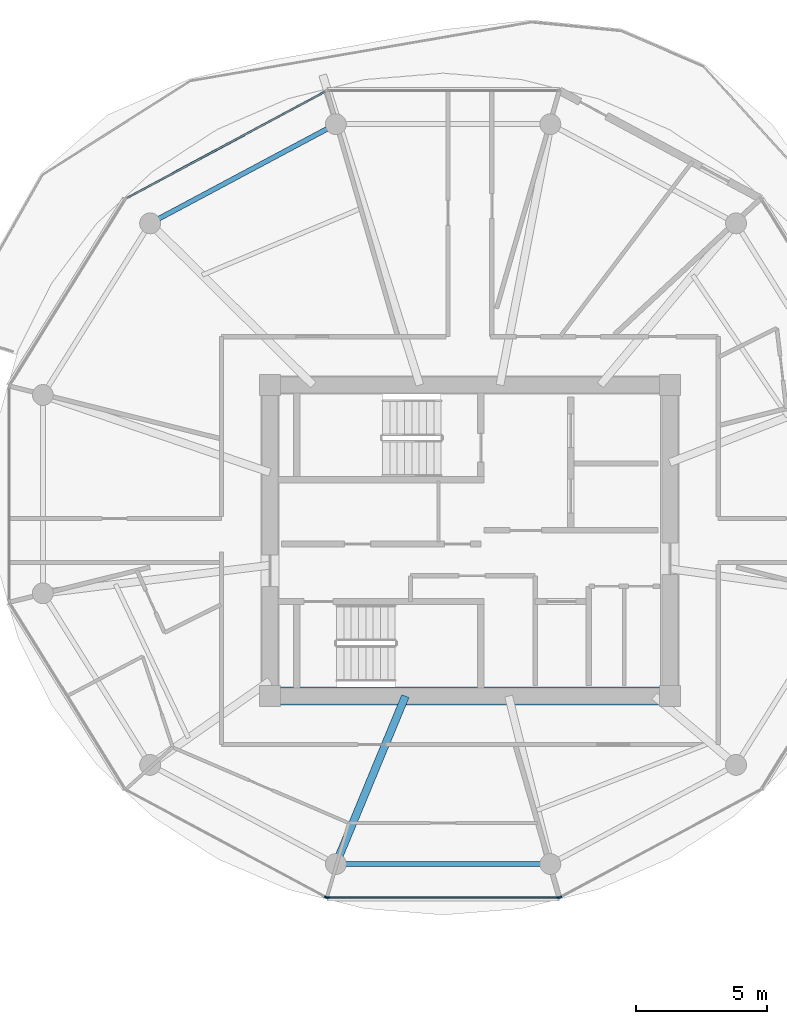
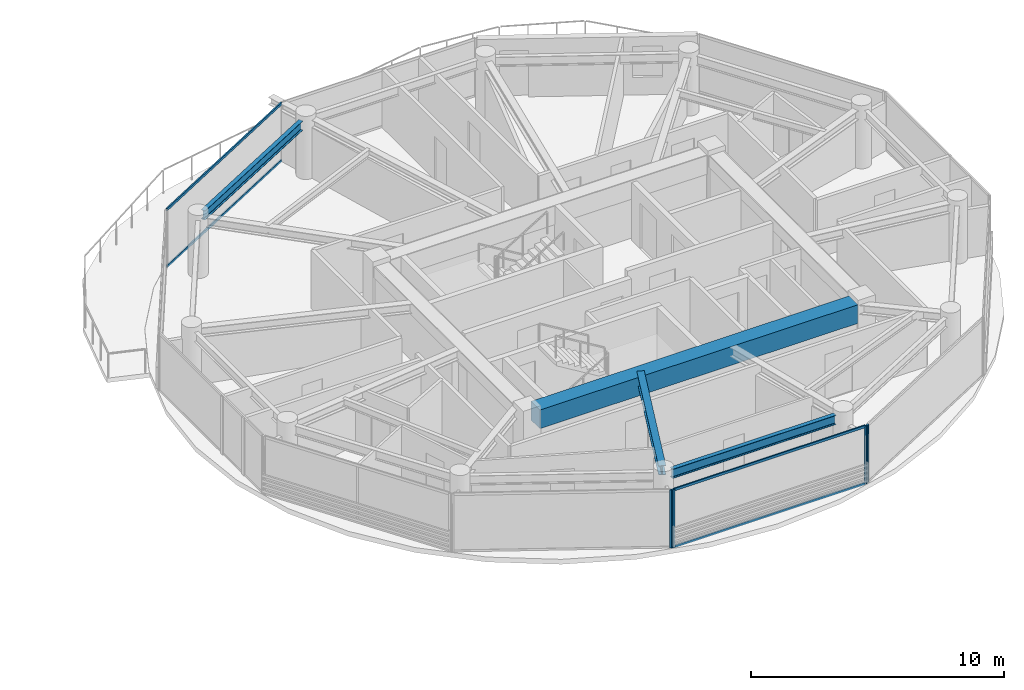
# One storey, part 8 of 22: 8 members, 4 beams, 4 elements without a shape of their own.
"""IFC4 building model written with IfcOpenShell, lengths in metres."""

import ifcopenshell
import ifcopenshell.guid

model = None  # the IFC model being written
_history = None  # IfcOwnerHistory: only IFC2X3 demands one
_inside = {}  # id of a spatial element -> (the spatial element, [elements in it])
_under = {}  # id of a project, library or spatial element -> (it, [spatial elements below it])
_declared = {}  # id of a project -> (the project, [libraries it declares])
_typed = {}  # id of a type object -> (the type object, [elements of that type])
_made_of = {}  # id of a material, layer set ... -> (it, [elements and type objects made of it])


def new_model(schema):
    """Start an empty IFC model of exactly this schema.

    Asked for "IFC4X3", IfcOpenShell would pick the latest addendum, in which some entities
    have other attributes; the version numbers below select the first issue.
    IFC2X3 requires an IfcOwnerHistory on every rooted entity: one is made here for all.
    """
    global model, _history
    if schema == "IFC4X3":
        model = ifcopenshell.file(schema_version=(4, 3, 0, 0))
    else:
        model = ifcopenshell.file(schema=schema)
    _inside.clear()
    _under.clear()
    _declared.clear()
    _typed.clear()
    _made_of.clear()
    _history = None
    if model.schema == "IFC2X3":
        org = make("IfcOrganization", Name="unknown")
        user = make(
            "IfcPersonAndOrganization",
            ThePerson=make("IfcPerson", FamilyName="unknown"),
            TheOrganization=org,
        )
        app = make(
            "IfcApplication",
            ApplicationDeveloper=org,
            Version="unknown",
            ApplicationFullName="unknown",
            ApplicationIdentifier="unknown",
        )
        _history = make(
            "IfcOwnerHistory",
            OwningUser=user,
            OwningApplication=app,
            ChangeAction="ADDED",
            CreationDate=0,
        )
    return model


def make(cls, **values):
    """One entity of the class cls with the attributes given. An attribute that is None is left unset."""
    return model.create_entity(
        cls, **{name: value for name, value in values.items() if value is not None}
    )


def rooted(cls, **values):
    """An entity with a GlobalId (a new one), such as an element, a storey or a relation."""
    return make(cls, GlobalId=ifcopenshell.guid.new(), OwnerHistory=_history, **values)


def si_unit(unit_type, name, prefix=None):
    """IfcSIUnit, for example si_unit("LENGTHUNIT", "METRE", prefix="MILLI")."""
    return make("IfcSIUnit", UnitType=unit_type, Prefix=prefix, Name=name)


def assignment(units):
    """IfcUnitAssignment: the units of a project."""
    return None if units is None else make("IfcUnitAssignment", Units=units)


def point(xyz):
    """IfcCartesianPoint."""
    return None if xyz is None else make("IfcCartesianPoint", Coordinates=xyz)


def direction(xyz):
    """IfcDirection."""
    return None if xyz is None else make("IfcDirection", DirectionRatios=xyz)


def frame(location, z_axis=None, x_axis=None):
    """IfcAxis2Placement3D, a coordinate frame: its origin and axes. An axis left out is left unset."""
    return make(
        "IfcAxis2Placement3D",
        Location=point(location),
        Axis=direction(z_axis),
        RefDirection=direction(x_axis),
    )


def frame_2d(location, x_axis=None):
    """IfcAxis2Placement2D, a coordinate frame in the plane: its origin and x axis."""
    return make(
        "IfcAxis2Placement2D", Location=point(location), RefDirection=direction(x_axis)
    )


def origin():
    """The frame at (0, 0, 0) with its axes left unset."""
    return frame((0.0, 0.0, 0.0))


def origin_2d():
    """The frame at (0, 0) in the plane with its x axis left unset."""
    return frame_2d((0.0, 0.0))


def place(relative_to, where):
    """IfcLocalPlacement: puts the frame where relative to a parent placement (None: the world)."""
    return make(
        "IfcLocalPlacement", PlacementRelTo=relative_to, RelativePlacement=where
    )


def context(
    kind, dimensions, precision=None, world=None, true_north=None, identifier=None
):
    """IfcGeometricRepresentationContext, for example the 3D "Model" context."""
    return make(
        "IfcGeometricRepresentationContext",
        ContextIdentifier=identifier,
        ContextType=kind,
        CoordinateSpaceDimension=dimensions,
        Precision=precision,
        WorldCoordinateSystem=world,
        TrueNorth=true_north,
    )


def subcontext(parent, identifier, kind, view, scale=None):
    """IfcGeometricRepresentationSubContext, for example "Body" below "Model"."""
    return make(
        "IfcGeometricRepresentationSubContext",
        ContextIdentifier=identifier,
        ContextType=kind,
        ParentContext=parent,
        TargetScale=scale,
        TargetView=view,
    )


def project(units=None, contexts=None):
    """IfcProject with its units and contexts."""
    return rooted(
        "IfcProject",
        Name="project",
        RepresentationContexts=contexts,
        UnitsInContext=assignment(units),
    )


def spatial(cls, under=None, at=None, **own):
    """A site, building, storey or space (cls), placed at a placement, below another one or the project."""
    s = rooted(cls, ObjectPlacement=at, **own)
    if under is not None:
        _under.setdefault(under.id(), (under, []))[1].append(s)
    return s


def profile(cls, at=None, kind="AREA", **sizes):
    """A parametric profile (cls). Its sizes go by their IFC names, for example OverallWidth=200.0."""
    return make(cls, ProfileType=kind, Position=at, **sizes)


def rectangle(**sizes):
    """IfcRectangleProfileDef."""
    return profile("IfcRectangleProfileDef", **sizes)


def i_section(**sizes):
    """IfcIShapeProfileDef."""
    return profile("IfcIShapeProfileDef", **sizes)


def extrude(swept, where, along, depth):
    """IfcExtrudedAreaSolid: the profile swept, set in the frame where, extruded along a direction by depth."""
    return make(
        "IfcExtrudedAreaSolid",
        SweptArea=swept,
        Position=where,
        ExtrudedDirection=direction(along),
        Depth=depth,
    )


def shape(context_of_items, identifier, shape_type, items):
    """IfcShapeRepresentation: the items that make up one representation, for example the "Body"."""
    return make(
        "IfcShapeRepresentation",
        ContextOfItems=context_of_items,
        RepresentationIdentifier=identifier,
        RepresentationType=shape_type,
        Items=items,
    )


def source(mapping_origin, context_of_items, identifier, shape_type, items):
    """IfcRepresentationMap: a shape defined once, which mapped items show again and again."""
    return make(
        "IfcRepresentationMap",
        MappingOrigin=mapping_origin,
        MappedRepresentation=shape(context_of_items, identifier, shape_type, items),
    )


def transform(
    local_origin,
    x_axis=None,
    y_axis=None,
    z_axis=None,
    scale=None,
    scale2=None,
    scale3=None,
    uniform=True,
):
    """IfcCartesianTransformationOperator3D, or its non-uniform kind. x_axis, y_axis, z_axis: its Axis1, 2, 3."""
    if uniform:
        return make(
            "IfcCartesianTransformationOperator3D",
            Axis1=direction(x_axis),
            Axis2=direction(y_axis),
            LocalOrigin=point(local_origin),
            Scale=scale,
            Axis3=direction(z_axis),
        )
    return make(
        "IfcCartesianTransformationOperator3DnonUniform",
        Axis1=direction(x_axis),
        Axis2=direction(y_axis),
        LocalOrigin=point(local_origin),
        Scale=scale,
        Axis3=direction(z_axis),
        Scale2=scale2,
        Scale3=scale3,
    )


def mapped(mapping_source, mapping_target):
    """IfcMappedItem: shows the shape of a source again, moved by a transform."""
    return make(
        "IfcMappedItem", MappingSource=mapping_source, MappingTarget=mapping_target
    )


def material(Name=None, Category=None):
    """IfcMaterial."""
    return make("IfcMaterial", Name=Name, Category=Category)


def layer(
    of_material, thickness, ventilated=None, Name=None, Category=None, Priority=None
):
    """IfcMaterialLayer: one layer of a wall or slab, of a material (None: an air gap)."""
    return make(
        "IfcMaterialLayer",
        Material=of_material,
        LayerThickness=thickness,
        IsVentilated=ventilated,
        Name=Name,
        Category=Category,
        Priority=Priority,
    )


def layer_set(layers, Name=None):
    """IfcMaterialLayerSet."""
    return make("IfcMaterialLayerSet", MaterialLayers=layers, LayerSetName=Name)


def material_profile(
    of_material, cross_section, Name=None, Category=None, Priority=None
):
    """IfcMaterialProfile: a cross section and its material."""
    return make(
        "IfcMaterialProfile",
        Name=Name,
        Material=of_material,
        Profile=cross_section,
        Priority=Priority,
        Category=Category,
    )


def profile_set(profiles, Name=None, composite=None):
    """IfcMaterialProfileSet."""
    return make(
        "IfcMaterialProfileSet",
        Name=Name,
        MaterialProfiles=profiles,
        CompositeProfile=composite,
    )


def made_of(thing, what):
    """Note that an element or type object is made of a material, layer set ...; save() writes the relation."""
    if what is not None:
        _made_of.setdefault(what.id(), (what, []))[1].append(thing)
    return thing


def type_object(cls, material=None, **own):
    """A type object (cls), such as IfcWallType, which elements share."""
    return made_of(rooted(cls, **own), material)


def type_shapes(of_type, sources):
    """Give a type object the sources (RepresentationMaps) that its elements show as mapped items."""
    of_type.RepresentationMaps = sources


def element(
    cls,
    number,
    at=None,
    inside=None,
    cuts=None,
    type_object=None,
    material=None,
    context=None,
    identifier="Body",
    shape_type=None,
    held_by="IfcProductDefinitionShape",
    body=None,
    shapes=None,
    **own,
):
    """One element of the class cls, such as IfcWall. Its Tag is "e" and its number.

    at: its placement. inside: the storey or other place that contains it. cuts: it is an
    opening in that element (IfcRelVoidsElement). A single representation is given by context,
    identifier, shape_type and body (its items); several are given by shapes. held_by: the class
    of the entity that holds the representations. save() writes the other relations.
    """
    e = rooted(cls, Tag="e%d" % number, ObjectPlacement=at, **own)
    if body is not None:
        shapes = [shape(context, identifier, shape_type, body)]
    if shapes is not None:
        e.Representation = make(held_by, Representations=shapes)
    if inside is not None:
        _inside.setdefault(inside.id(), (inside, []))[1].append(e)
    if cuts is not None:
        rooted(
            "IfcRelVoidsElement", RelatingBuildingElement=cuts, RelatedOpeningElement=e
        )
    if type_object is not None:
        _typed.setdefault(type_object.id(), (type_object, []))[1].append(e)
    return made_of(e, material)


def aggregate(whole, parts):
    """IfcRelAggregates: a whole, such as a stair, and the parts it consists of."""
    return rooted("IfcRelAggregates", RelatingObject=whole, RelatedObjects=parts)


def save(model, path):
    """Write the relations noted so far, then the file.

    IfcRelAggregates (storeys below a building ...), IfcRelContainedInSpatialStructure (elements
    in a storey), IfcRelDefinesByType, IfcRelAssociatesMaterial and IfcRelDeclares: one each for
    every whole, place, type object, material and project.
    """
    for whole, parts in _under.values():
        aggregate(whole, parts)
    for where, things in _inside.values():
        rooted(
            "IfcRelContainedInSpatialStructure",
            RelatedElements=things,
            RelatingStructure=where,
        )
    for kind, things in _typed.values():
        rooted("IfcRelDefinesByType", RelatedObjects=things, RelatingType=kind)
    for what, things in _made_of.values():
        rooted("IfcRelAssociatesMaterial", RelatedObjects=things, RelatingMaterial=what)
    for by, libraries in _declared.values():
        rooted("IfcRelDeclares", RelatingContext=by, RelatedDefinitions=libraries)
    model.write(path)


model = new_model("IFC4")

# Units and contexts
model_context = context("Model", 3, precision=1e-05, world=origin(), true_north=direction((0.0, 1.0)))
body_context = subcontext(model_context, "Body", "Model", "MODEL_VIEW")
ifc_project = project(units=[si_unit("LENGTHUNIT", "METRE"), si_unit("AREAUNIT", "SQUARE_METRE"), si_unit("VOLUMEUNIT", "CUBIC_METRE"), si_unit("PLANEANGLEUNIT", "RADIAN"), si_unit("MASSUNIT", "GRAM", prefix="KILO")], contexts=[model_context])

# Site, building, storey
site_placement = place(None, origin())
site = spatial("IfcSite", under=ifc_project, at=site_placement, CompositionType="ELEMENT")
building_placement = place(site_placement, origin())
building = spatial("IfcBuilding", under=site, at=building_placement, Name="Norrkilde Senior Care Towers", CompositionType="ELEMENT")
storey_placement = place(building_placement, frame((0.0, 0.0, 180.050048828125)))
storey = spatial("IfcBuildingStorey", under=building, at=storey_placement, Name="L56", CompositionType="ELEMENT", Elevation=180.050048828125)

# Beams
ifc_material_1 = material(Name="Concrete C60/75", Category="concrete")
ifc_material_profile_1 = material_profile(ifc_material_1, rectangle(XDim=0.699951171875, YDim=0.89990234375, at=origin_2d()), Name="RC BM 700x900")
ifc_profile_set_1 = profile_set([ifc_material_profile_1], Name="Concrete C60/75")
beam_type_1 = type_object("IfcBeamType", Name="Core Coupling Girder 700x900", PredefinedType="USERDEFINED", material=ifc_profile_set_1)
shared_shape_1 = source(origin(), body_context, "Body", "SweptSolid", [
    extrude(rectangle(XDim=0.699951171875, YDim=0.89990234375, at=origin_2d()), origin(), (0.0, 0.0, 1.0), 14.5400390625),
])
type_shapes(beam_type_1, [shared_shape_1])
beam_1_placement = place(storey_placement, frame((20.72998046875, -5.949951171875, 2.35986328125), z_axis=(1.0, 0.0, 0.0), x_axis=(0.0, 1.0, 0.0)))
element("IfcBeam", 1, at=beam_1_placement, inside=storey, type_object=beam_type_1, Name="L56 Core E S Coupling Girder", ObjectType="GIRDER", PredefinedType="USERDEFINED", context=body_context, shape_type="MappedRepresentation", body=[
    mapped(shared_shape_1, transform((0.0, 0.0, 0.0), x_axis=(1.0, 0.0, 0.0), y_axis=(0.0, 1.0, 0.0), z_axis=(0.0, 0.0, 1.0), scale=1.0)),
])
ifc_material_2 = material(Name="Steel S355", Category="steel")
ifc_material_profile_2 = material_profile(ifc_material_2, i_section(OverallWidth=0.18994140625, OverallDepth=0.449951171875, WebThickness=0.009521484375, FlangeThickness=0.0146484375, FilletRadius=0.02099609375, at=origin_2d()), Name="IPE 450")
ifc_profile_set_2 = profile_set([ifc_material_profile_2], Name="Steel S355")
beam_type_2 = type_object("IfcBeamType", Name="Perimeter Ring Spandrel Z3 IPE450", PredefinedType="SPANDREL", material=ifc_profile_set_2)
shared_shape_2 = source(origin(), body_context, "Body", "SweptSolid", [
    extrude(i_section(OverallWidth=0.18994140625, OverallDepth=0.449951171875, WebThickness=0.009521484375, FlangeThickness=0.0146484375, FilletRadius=0.02099609375, at=origin_2d()), origin(), (0.0, 0.0, 1.0), 7.333740234375),
])
beam_2_placement = place(storey_placement, frame((22.55517578125, 15.756591796875, 2.5849609375), z_axis=(-0.882247866069, -0.470785198172, 0.0), x_axis=(0.470785198172, -0.882247866069, 0.0)))
element("IfcBeam", 2, at=beam_2_placement, inside=storey, type_object=beam_type_2, Name="L56 Drum E Perimeter Spandrel 04", PredefinedType="SPANDREL", context=body_context, shape_type="MappedRepresentation", body=[
    mapped(shared_shape_2, transform((0.0, 0.0, 0.0), x_axis=(1.0, 0.0, 0.0), y_axis=(0.0, 1.0, 0.0), z_axis=(0.0, 0.0, 1.0), scale=1.0)),
])
shared_shape_3 = source(origin(), body_context, "Body", "SweptSolid", [
    extrude(i_section(OverallWidth=0.18994140625, OverallDepth=0.449951171875, WebThickness=0.009521484375, FlangeThickness=0.0146484375, FilletRadius=0.02099609375, at=origin_2d()), origin(), (0.0, 0.0, 1.0), 7.484619140625),
])
type_shapes(beam_type_2, [shared_shape_2, shared_shape_3])
beam_3_placement = place(storey_placement, frame((23.232666015625, -12.37548828125, 2.5849609375), z_axis=(1.0, 0.0, 0.0), x_axis=(0.0, 1.0, 0.0)))
element("IfcBeam", 3, at=beam_3_placement, inside=storey, type_object=beam_type_2, Name="L56 Drum E Perimeter Spandrel 09", PredefinedType="SPANDREL", context=body_context, shape_type="MappedRepresentation", body=[
    mapped(shared_shape_3, transform((0.0, 0.0, 0.0), x_axis=(1.0, 0.0, 0.0), y_axis=(0.0, 1.0, 0.0), z_axis=(0.0, 0.0, 1.0), scale=1.0)),
])
ifc_material_profile_3 = material_profile(ifc_material_2, i_section(OverallWidth=0.300048828125, OverallDepth=0.449951171875, WebThickness=0.013916015625, FlangeThickness=0.02587890625, FilletRadius=0.027099609375, at=origin_2d()), Name="HEB 450")
ifc_profile_set_3 = profile_set([ifc_material_profile_3], Name="Steel S355")
beam_type_3 = type_object("IfcBeamType", Name="Radial Floor Beam Z3 HEB450", PredefinedType="BEAM", material=ifc_profile_set_3)
shared_shape_4 = source(origin(), body_context, "Body", "SweptSolid", [
    extrude(i_section(OverallWidth=0.300048828125, OverallDepth=0.449951171875, WebThickness=0.013916015625, FlangeThickness=0.02587890625, FilletRadius=0.027099609375, at=origin_2d()), origin(), (0.0, 0.0, 1.0), 6.59521484375),
])
type_shapes(beam_type_3, [shared_shape_4])
beam_4_placement = place(storey_placement, frame((25.534912109375, -5.949951171875, 2.5849609375), z_axis=(-0.382761541363, -0.923847174836, 0.0), x_axis=(0.923847174836, -0.382761541363, 0.0)))
element("IfcBeam", 4, at=beam_4_placement, inside=storey, type_object=beam_type_3, Name="L56 Drum E Radial Floor Beam 09", PredefinedType="BEAM", context=body_context, shape_type="MappedRepresentation", body=[
    mapped(shared_shape_4, transform((0.0, 0.0, 0.0), x_axis=(1.0, 0.0, 0.0), y_axis=(0.0, 1.0, 0.0), z_axis=(0.0, 0.0, 1.0), scale=1.0)),
])

# Curtain wall, member
ifc_material_3 = material(Name="Triple Low-E Insulated Glazing", Category="glass")
ifc_layer = layer(ifc_material_3, 0.18994140625)
ifc_layer_set = layer_set([ifc_layer], Name="Triple Low-E Insulated Glazing")
curtain_wall_type = type_object("IfcCurtainWallType", Name="CW4 Zone 3 Senior Residence Curtain Wall", PredefinedType="NOTDEFINED", material=ifc_layer_set)
curtain_wall_1_placement = place(storey_placement, origin())
curtain_wall_1 = element("IfcCurtainWall", 5, at=curtain_wall_1_placement, inside=storey, type_object=curtain_wall_type, Name="L56 Drum E Curtain Wall 07", PredefinedType="NOTDEFINED")
ifc_material_4 = material(Name="Anodised Aluminium", Category="aluminium")
ifc_material_profile_4 = material_profile(ifc_material_4, rectangle(XDim=0.06494140625, YDim=0.14990234375, at=origin_2d()), Name="ALU MULL 65x150")
ifc_profile_set_4 = profile_set([ifc_material_profile_4], Name="Anodised Aluminium")
member_type_1 = type_object("IfcMemberType", Name="Curtain Wall Mullion Z3-Z4 65x150", PredefinedType="MULLION", material=ifc_profile_set_4)
shared_shape_5 = source(origin(), body_context, "Body", "SweptSolid", [
    extrude(rectangle(XDim=0.06494140625, YDim=0.14990234375, at=origin_2d()), origin(), (0.0, 0.0, 1.0), 2.81005859375),
])
type_shapes(member_type_1, [shared_shape_5])
member_1_placement = place(storey_placement, frame((22.499755859375, -13.644775390625, 0.0), z_axis=(0.0, 0.0, 1.0), x_axis=(-0.47311715104, -0.880999524059, 0.0)))
member_1 = element("IfcMember", 6, at=member_1_placement, type_object=member_type_1, Name="CW-4 mullion 1", PredefinedType="MULLION", context=body_context, shape_type="MappedRepresentation", body=[
    mapped(shared_shape_5, transform((0.0, 0.0, 0.0), x_axis=(1.0, 0.0, 0.0), y_axis=(0.0, 1.0, 0.0), z_axis=(0.0, 0.0, 1.0), scale=1.0)),
])
aggregate(curtain_wall_1, [member_1])

# Curtain wall, members
curtain_wall_2_placement = place(storey_placement, origin())
curtain_wall_2 = element("IfcCurtainWall", 7, at=curtain_wall_2_placement, inside=storey, type_object=curtain_wall_type, Name="L56 Drum E Curtain Wall 08", PredefinedType="NOTDEFINED")
member_2_placement = place(storey_placement, frame((31.388916015625, -13.66015625, 0.0), z_axis=(0.0, 0.0, 1.0), x_axis=(0.0, -1.0, 0.0)))
member_2 = element("IfcMember", 8, at=member_2_placement, type_object=member_type_1, Name="CW-4 mullion 1", PredefinedType="MULLION", context=body_context, shape_type="MappedRepresentation", body=[
    mapped(shared_shape_5, transform((0.0, 0.0, 0.0), x_axis=(1.0, 0.0, 0.0), y_axis=(0.0, 1.0, 0.0), z_axis=(0.0, 0.0, 1.0), scale=1.0)),
])
member_3_placement = place(storey_placement, frame((22.56103515625, -13.66015625, 0.0), z_axis=(0.0, 0.0, 1.0), x_axis=(0.0, -1.0, 0.0)))
member_3 = element("IfcMember", 9, at=member_3_placement, type_object=member_type_1, Name="CW-4 mullion 2", PredefinedType="MULLION", context=body_context, shape_type="MappedRepresentation", body=[
    mapped(shared_shape_5, transform((0.0, 0.0, 0.0), x_axis=(1.0, 0.0, 0.0), y_axis=(0.0, 1.0, 0.0), z_axis=(0.0, 0.0, 1.0), scale=1.0)),
])

# Curtain wall, member
curtain_wall_3_placement = place(storey_placement, origin())
curtain_wall_3 = element("IfcCurtainWall", 10, at=curtain_wall_3_placement, inside=storey, type_object=curtain_wall_type, Name="L56 Drum E Curtain Wall 09", PredefinedType="NOTDEFINED")
member_4_placement = place(storey_placement, frame((31.4501953125, -13.644775390625, 0.0), z_axis=(0.0, 0.0, 1.0), x_axis=(0.47311715104, -0.880999524059, 0.0)))
member_4 = element("IfcMember", 11, at=member_4_placement, type_object=member_type_1, Name="CW-4 mullion 2", PredefinedType="MULLION", context=body_context, shape_type="MappedRepresentation", body=[
    mapped(shared_shape_5, transform((0.0, 0.0, 0.0), x_axis=(1.0, 0.0, 0.0), y_axis=(0.0, 1.0, 0.0), z_axis=(0.0, 0.0, 1.0), scale=1.0)),
])
aggregate(curtain_wall_3, [member_4])

# Curtain wall, members
curtain_wall_4_placement = place(storey_placement, origin())
curtain_wall_4 = element("IfcCurtainWall", 12, at=curtain_wall_4_placement, inside=storey, type_object=curtain_wall_type, Name="L56 Drum E Curtain Wall 03", PredefinedType="NOTDEFINED")
ifc_material_profile_5 = material_profile(ifc_material_4, rectangle(XDim=0.06005859375, YDim=0.1201171875, at=origin_2d()), Name="ALU TRAN 60x120")
ifc_profile_set_5 = profile_set([ifc_material_profile_5], Name="Anodised Aluminium")
member_type_2 = type_object("IfcMemberType", Name="Curtain Wall Transom Typical 60x120", PredefinedType="USERDEFINED", material=ifc_profile_set_5)
shared_shape_6 = source(origin(), body_context, "Body", "SweptSolid", [
    extrude(rectangle(XDim=0.06005859375, YDim=0.1201171875, at=origin_2d()), origin(), (0.0, 0.0, 1.0), 8.61181640625),
])
member_5_placement = place(storey_placement, frame((14.88427734375, 13.105712890625, 0.030029296875), z_axis=(0.880993991641, 0.473127452906, 0.0), x_axis=(-0.473127452906, 0.880993991641, 0.0)))
member_5 = element("IfcMember", 13, at=member_5_placement, type_object=member_type_2, Name="CW-4 transom 1.1", ObjectType="TRANSOM", PredefinedType="USERDEFINED", context=body_context, shape_type="MappedRepresentation", body=[
    mapped(shared_shape_6, transform((0.0, 0.0, 0.0), x_axis=(1.0, 0.0, 0.0), y_axis=(0.0, 1.0, 0.0), z_axis=(0.0, 0.0, 1.0), scale=1.0)),
])
member_6_placement = place(storey_placement, frame((14.88427734375, 13.105712890625, 2.780029296875), z_axis=(0.880993991641, 0.473127452906, 0.0), x_axis=(-0.473127452906, 0.880993991641, 0.0)))
member_6 = element("IfcMember", 14, at=member_6_placement, type_object=member_type_2, Name="CW-4 transom 1.2", ObjectType="TRANSOM", PredefinedType="USERDEFINED", context=body_context, shape_type="MappedRepresentation", body=[
    mapped(shared_shape_6, transform((0.0, 0.0, 0.0), x_axis=(1.0, 0.0, 0.0), y_axis=(0.0, 1.0, 0.0), z_axis=(0.0, 0.0, 1.0), scale=1.0)),
])
aggregate(curtain_wall_4, [member_5, member_6])

# Member
shared_shape_7 = source(origin(), body_context, "Body", "SweptSolid", [
    extrude(rectangle(XDim=0.06005859375, YDim=0.1201171875, at=origin_2d()), origin(), (0.0, 0.0, 1.0), 8.762939453125),
])
type_shapes(member_type_2, [shared_shape_6, shared_shape_7])
member_7_placement = place(storey_placement, frame((31.3564453125, -13.66015625, 0.030029296875), z_axis=(-1.0, 0.0, 0.0), x_axis=(0.0, -1.0, 0.0)))
member_7 = element("IfcMember", 15, at=member_7_placement, type_object=member_type_2, Name="CW-4 transom 1.1", ObjectType="TRANSOM", PredefinedType="USERDEFINED", context=body_context, shape_type="MappedRepresentation", body=[
    mapped(shared_shape_7, transform((0.0, 0.0, 0.0), x_axis=(1.0, 0.0, 0.0), y_axis=(0.0, 1.0, 0.0), z_axis=(0.0, 0.0, 1.0), scale=1.0)),
])

member_8_placement = place(storey_placement, frame((31.3564453125, -13.66015625, 2.780029296875), z_axis=(-1.0, 0.0, 0.0), x_axis=(0.0, -1.0, 0.0)))
member_8 = element("IfcMember", 16, at=member_8_placement, type_object=member_type_2, Name="CW-4 transom 1.2", ObjectType="TRANSOM", PredefinedType="USERDEFINED", context=body_context, shape_type="MappedRepresentation", body=[
    mapped(shared_shape_7, transform((0.0, 0.0, 0.0), x_axis=(1.0, 0.0, 0.0), y_axis=(0.0, 1.0, 0.0), z_axis=(0.0, 0.0, 1.0), scale=1.0)),
])

aggregate(curtain_wall_2, [member_2, member_3, member_7, member_8])

save(model, "model.ifc")
